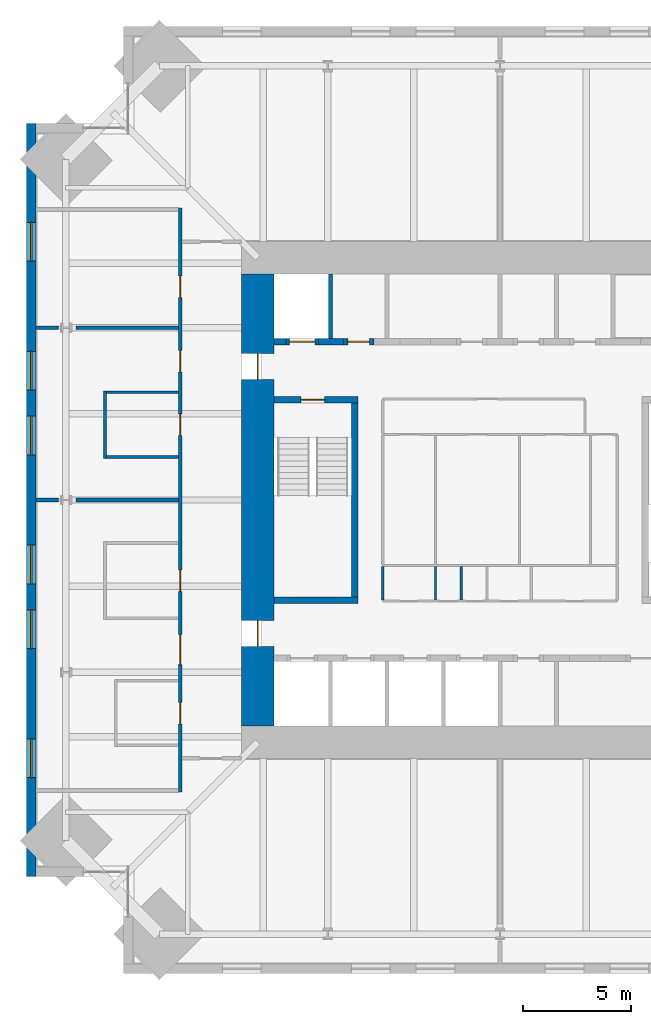
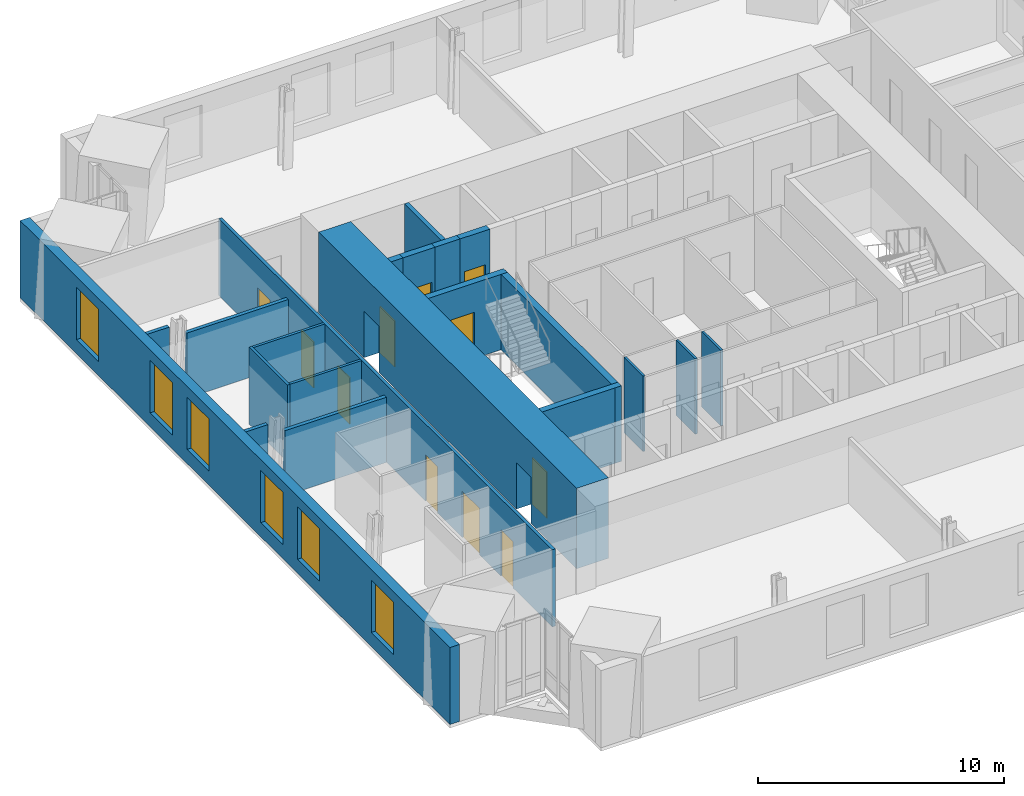
# One storey, part 12 of 16: 21 walls, 11 doors, 6 windows, 17 openings.
"""IFC4 building model written with IfcOpenShell, lengths in metres."""

from ifc_helpers import new_model, si_unit, direction, frame, frame_2d, origin, place, context, subcontext, project, spatial, rectangle, extrude, material, layer, layer_set, type_object, element, fill, save


model = new_model("IFC4")

# Units and contexts
model_context = context("Model", 3, precision=1e-05, world=origin(), true_north=direction((0.0, 1.0)))
body_context = subcontext(model_context, "Body", "Model", "MODEL_VIEW")
ifc_project = project(units=[si_unit("LENGTHUNIT", "METRE"), si_unit("AREAUNIT", "SQUARE_METRE"), si_unit("VOLUMEUNIT", "CUBIC_METRE"), si_unit("PLANEANGLEUNIT", "RADIAN"), si_unit("MASSUNIT", "GRAM", prefix="KILO")], contexts=[model_context])

# Site, building, storey
site_placement = place(None, origin())
site = spatial("IfcSite", under=ifc_project, at=site_placement, CompositionType="ELEMENT")
building_placement = place(site_placement, origin())
building = spatial("IfcBuilding", under=site, at=building_placement, Name="Peilmerk Tower", CompositionType="ELEMENT")
storey_placement = place(building_placement, frame((0.0, 0.0, 265.800048828125)))
storey = spatial("IfcBuildingStorey", under=building, at=storey_placement, Name="L59", CompositionType="ELEMENT", Elevation=265.800048828125)

# Wall, openings, windows
ifc_material_1 = material(Name="Precast concrete C45/55, board-marked finish", Category="concrete")
ifc_layer_1 = layer(ifc_material_1, 0.449951171875)
ifc_layer_set_1 = layer_set([ifc_layer_1], Name="Precast concrete C45/55, board-marked finish")
wall_type_1 = type_object("IfcWallType", Name="EW1 450 precast concrete facade wall, board-marked", PredefinedType="SOLIDWALL", material=ifc_layer_set_1)
wall_1_placement = place(storey_placement, frame((-21.77490234375, 17.5, 0.0), z_axis=(0.0, 0.0, 1.0), x_axis=(0.0, -1.0, 0.0)))
wall_1 = element("IfcWall", 1, at=wall_1_placement, inside=storey, type_object=wall_type_1, Name="Facade wall W L59", PredefinedType="SOLIDWALL", context=body_context, shape_type="SweptSolid", body=[
    extrude(rectangle(XDim=35.0, YDim=0.449951171875, at=frame_2d((17.5, 0.0))), origin(), (0.0, 0.0, 1.0), 3.829833984375),
])
opening_1_placement = place(wall_1_placement, frame((4.60009765625, 0.0, 0.699951171875)))
opening_1 = element("IfcOpeningElement", 2, at=opening_1_placement, cuts=wall_1, Name="Opening W1", PredefinedType="OPENING", context=body_context, shape_type="SweptSolid", body=[
    extrude(rectangle(XDim=1.800048828125, YDim=2.60009765625, at=frame_2d((0.89990234375, 1.300048828125))), frame((0.0, 0.23486328125, 0.0), z_axis=(0.0, -1.0, 0.0), x_axis=(1.0, 0.0, 0.0)), (0.0, 0.0, 1.0), 0.469970703125),
])
opening_2_placement = place(wall_1_placement, frame((10.60009765625, 0.0, 0.699951171875)))
opening_2 = element("IfcOpeningElement", 3, at=opening_2_placement, cuts=wall_1, Name="Opening W1", PredefinedType="OPENING", context=body_context, shape_type="SweptSolid", body=[
    extrude(rectangle(XDim=1.800048828125, YDim=2.60009765625, at=frame_2d((0.89990234375, 1.300048828125))), frame((0.0, 0.23486328125, 0.0), z_axis=(0.0, -1.0, 0.0), x_axis=(1.0, 0.0, 0.0)), (0.0, 0.0, 1.0), 0.469970703125),
])
opening_3_placement = place(wall_1_placement, frame((13.60009765625, 0.0, 0.699951171875)))
opening_3 = element("IfcOpeningElement", 4, at=opening_3_placement, cuts=wall_1, Name="Opening W1", PredefinedType="OPENING", context=body_context, shape_type="SweptSolid", body=[
    extrude(rectangle(XDim=1.800048828125, YDim=2.60009765625, at=frame_2d((0.89990234375, 1.300048828125))), frame((0.0, 0.23486328125, 0.0), z_axis=(0.0, -1.0, 0.0), x_axis=(1.0, 0.0, 0.0)), (0.0, 0.0, 1.0), 0.469970703125),
])
opening_4_placement = place(wall_1_placement, frame((19.60009765625, 0.0, 0.699951171875)))
opening_4 = element("IfcOpeningElement", 5, at=opening_4_placement, cuts=wall_1, Name="Opening W1", PredefinedType="OPENING", context=body_context, shape_type="SweptSolid", body=[
    extrude(rectangle(XDim=1.800048828125, YDim=2.60009765625, at=frame_2d((0.89990234375, 1.300048828125))), frame((0.0, 0.23486328125, 0.0), z_axis=(0.0, -1.0, 0.0), x_axis=(1.0, 0.0, 0.0)), (0.0, 0.0, 1.0), 0.469970703125),
])
opening_5_placement = place(wall_1_placement, frame((22.60009765625, 0.0, 0.699951171875)))
opening_5 = element("IfcOpeningElement", 6, at=opening_5_placement, cuts=wall_1, Name="Opening W1", PredefinedType="OPENING", context=body_context, shape_type="SweptSolid", body=[
    extrude(rectangle(XDim=1.800048828125, YDim=2.60009765625, at=frame_2d((0.89990234375, 1.300048828125))), frame((0.0, 0.23486328125, 0.0), z_axis=(0.0, -1.0, 0.0), x_axis=(1.0, 0.0, 0.0)), (0.0, 0.0, 1.0), 0.469970703125),
])
opening_6_placement = place(wall_1_placement, frame((28.60009765625, 0.0, 0.699951171875)))
opening_6 = element("IfcOpeningElement", 7, at=opening_6_placement, cuts=wall_1, Name="Opening W1", PredefinedType="OPENING", context=body_context, shape_type="SweptSolid", body=[
    extrude(rectangle(XDim=1.800048828125, YDim=2.60009765625, at=frame_2d((0.89990234375, 1.300048828125))), frame((0.0, 0.23486328125, 0.0), z_axis=(0.0, -1.0, 0.0), x_axis=(1.0, 0.0, 0.0)), (0.0, 0.0, 1.0), 0.469970703125),
])
ifc_material_2 = material(Name="Aluminium frame, clear double glazing", Category="aluminium")
window_type = type_object("IfcWindowType", Name="W1 1800x2600 office window", PartitioningType="SINGLE_PANEL", PredefinedType="WINDOW", material=ifc_material_2)
window_1_placement = place(opening_1_placement, origin())
window_1 = element("IfcWindow", 8, at=window_1_placement, inside=storey, type_object=window_type, Name="Window W1 L59", OverallHeight=2.60009765625, OverallWidth=1.800048828125, PartitioningType="SINGLE_PANEL", PredefinedType="WINDOW", context=body_context, shape_type="SweptSolid", body=[
    extrude(rectangle(XDim=1.800048828125, YDim=2.60009765625, at=frame_2d((0.89990234375, 1.300048828125))), frame((0.0, 0.030029296875, 0.0), z_axis=(0.0, -1.0, 0.0), x_axis=(1.0, 0.0, 0.0)), (0.0, 0.0, 1.0), 0.06005859375),
])
fill(opening_1, window_1)
window_2_placement = place(opening_2_placement, origin())
window_2 = element("IfcWindow", 9, at=window_2_placement, inside=storey, type_object=window_type, Name="Window W1 L59", OverallHeight=2.60009765625, OverallWidth=1.800048828125, PartitioningType="SINGLE_PANEL", PredefinedType="WINDOW", context=body_context, shape_type="SweptSolid", body=[
    extrude(rectangle(XDim=1.800048828125, YDim=2.60009765625, at=frame_2d((0.89990234375, 1.300048828125))), frame((0.0, 0.030029296875, 0.0), z_axis=(0.0, -1.0, 0.0), x_axis=(1.0, 0.0, 0.0)), (0.0, 0.0, 1.0), 0.06005859375),
])
fill(opening_2, window_2)
window_3_placement = place(opening_3_placement, origin())
window_3 = element("IfcWindow", 10, at=window_3_placement, inside=storey, type_object=window_type, Name="Window W1 L59", OverallHeight=2.60009765625, OverallWidth=1.800048828125, PartitioningType="SINGLE_PANEL", PredefinedType="WINDOW", context=body_context, shape_type="SweptSolid", body=[
    extrude(rectangle(XDim=1.800048828125, YDim=2.60009765625, at=frame_2d((0.89990234375, 1.300048828125))), frame((0.0, 0.030029296875, 0.0), z_axis=(0.0, -1.0, 0.0), x_axis=(1.0, 0.0, 0.0)), (0.0, 0.0, 1.0), 0.06005859375),
])
fill(opening_3, window_3)
window_4_placement = place(opening_4_placement, origin())
window_4 = element("IfcWindow", 11, at=window_4_placement, inside=storey, type_object=window_type, Name="Window W1 L59", OverallHeight=2.60009765625, OverallWidth=1.800048828125, PartitioningType="SINGLE_PANEL", PredefinedType="WINDOW", context=body_context, shape_type="SweptSolid", body=[
    extrude(rectangle(XDim=1.800048828125, YDim=2.60009765625, at=frame_2d((0.89990234375, 1.300048828125))), frame((0.0, 0.030029296875, 0.0), z_axis=(0.0, -1.0, 0.0), x_axis=(1.0, 0.0, 0.0)), (0.0, 0.0, 1.0), 0.06005859375),
])
fill(opening_4, window_4)
window_5_placement = place(opening_5_placement, origin())
window_5 = element("IfcWindow", 12, at=window_5_placement, inside=storey, type_object=window_type, Name="Window W1 L59", OverallHeight=2.60009765625, OverallWidth=1.800048828125, PartitioningType="SINGLE_PANEL", PredefinedType="WINDOW", context=body_context, shape_type="SweptSolid", body=[
    extrude(rectangle(XDim=1.800048828125, YDim=2.60009765625, at=frame_2d((0.89990234375, 1.300048828125))), frame((0.0, 0.030029296875, 0.0), z_axis=(0.0, -1.0, 0.0), x_axis=(1.0, 0.0, 0.0)), (0.0, 0.0, 1.0), 0.06005859375),
])
fill(opening_5, window_5)
window_6_placement = place(opening_6_placement, origin())
window_6 = element("IfcWindow", 13, at=window_6_placement, inside=storey, type_object=window_type, Name="Window W1 L59", OverallHeight=2.60009765625, OverallWidth=1.800048828125, PartitioningType="SINGLE_PANEL", PredefinedType="WINDOW", context=body_context, shape_type="SweptSolid", body=[
    extrude(rectangle(XDim=1.800048828125, YDim=2.60009765625, at=frame_2d((0.89990234375, 1.300048828125))), frame((0.0, 0.030029296875, 0.0), z_axis=(0.0, -1.0, 0.0), x_axis=(1.0, 0.0, 0.0)), (0.0, 0.0, 1.0), 0.06005859375),
])
fill(opening_6, window_6)

# Wall, openings, doors
ifc_material_3 = material(Name="Calcium silicate block", Category="masonry")
ifc_layer_2 = layer(ifc_material_3, 0.14990234375)
ifc_layer_set_2 = layer_set([ifc_layer_2], Name="Calcium silicate block")
wall_type_2 = type_object("IfcWallType", Name="IW1 150 corridor partition, EI 60", PredefinedType="PARTITIONING", material=ifc_layer_set_2)
wall_2_placement = place(storey_placement, frame((-14.85009765625, 13.574951171875, 0.0), z_axis=(0.0, 0.0, 1.0), x_axis=(0.0, -1.0, 0.0)))
wall_2 = element("IfcWall", 14, at=wall_2_placement, inside=storey, type_object=wall_type_2, Name="Corridor wall W L59", PredefinedType="PARTITIONING", context=body_context, shape_type="SweptSolid", body=[
    extrude(rectangle(XDim=27.14990234375, YDim=0.14990234375, at=frame_2d((13.574951171875, 0.0))), origin(), (0.0, 0.0, 1.0), 3.829833984375),
])
opening_7_placement = place(wall_2_placement, frame((19.824951171875, 0.0, 0.0)))
opening_7 = element("IfcOpeningElement", 15, at=opening_7_placement, cuts=wall_2, Name="Opening D8", PredefinedType="OPENING", context=body_context, shape_type="SweptSolid", body=[
    extrude(rectangle(XDim=1.39990234375, YDim=2.300048828125, at=frame_2d((0.699951171875, 1.14990234375))), frame((0.0, 0.0849609375, 0.0), z_axis=(0.0, -1.0, 0.0), x_axis=(1.0, 0.0, 0.0)), (0.0, 0.0, 1.0), 0.169921875),
])
opening_8_placement = place(wall_2_placement, frame((6.625, 0.0, 0.0)))
opening_8 = element("IfcOpeningElement", 16, at=opening_8_placement, cuts=wall_2, Name="Opening D1", PredefinedType="OPENING", context=body_context, shape_type="SweptSolid", body=[
    extrude(rectangle(XDim=1.0, YDim=2.300048828125, at=frame_2d((0.5, 1.14990234375))), frame((0.0, 0.0849609375, 0.0), z_axis=(0.0, -1.0, 0.0), x_axis=(1.0, 0.0, 0.0)), (0.0, 0.0, 1.0), 0.169921875),
])
opening_9_placement = place(wall_2_placement, frame((3.175048828125, 0.0, 0.0)))
opening_9 = element("IfcOpeningElement", 17, at=opening_9_placement, cuts=wall_2, Name="Opening D1", PredefinedType="OPENING", context=body_context, shape_type="SweptSolid", body=[
    extrude(rectangle(XDim=1.0, YDim=2.300048828125, at=frame_2d((0.5, 1.14990234375))), frame((0.0, 0.0849609375, 0.0), z_axis=(0.0, -1.0, 0.0), x_axis=(1.0, 0.0, 0.0)), (0.0, 0.0, 1.0), 0.169921875),
])
opening_10_placement = place(wall_2_placement, frame((9.574951171875, 0.0, 0.0)))
opening_10 = element("IfcOpeningElement", 18, at=opening_10_placement, cuts=wall_2, Name="Opening D1", PredefinedType="OPENING", context=body_context, shape_type="SweptSolid", body=[
    extrude(rectangle(XDim=1.0, YDim=2.300048828125, at=frame_2d((0.5, 1.14990234375))), frame((0.0, 0.0849609375, 0.0), z_axis=(0.0, -1.0, 0.0), x_axis=(1.0, 0.0, 0.0)), (0.0, 0.0, 1.0), 0.169921875),
])
opening_11_placement = place(wall_2_placement, frame((16.824951171875, 0.0, 0.0)))
opening_11 = element("IfcOpeningElement", 19, at=opening_11_placement, cuts=wall_2, Name="Opening D1", PredefinedType="OPENING", context=body_context, shape_type="SweptSolid", body=[
    extrude(rectangle(XDim=1.0, YDim=2.300048828125, at=frame_2d((0.5, 1.14990234375))), frame((0.0, 0.0849609375, 0.0), z_axis=(0.0, -1.0, 0.0), x_axis=(1.0, 0.0, 0.0)), (0.0, 0.0, 1.0), 0.169921875),
])
opening_12_placement = place(wall_2_placement, frame((22.97509765625, 0.0, 0.0)))
opening_12 = element("IfcOpeningElement", 20, at=opening_12_placement, cuts=wall_2, Name="Opening D1", PredefinedType="OPENING", context=body_context, shape_type="SweptSolid", body=[
    extrude(rectangle(XDim=1.0, YDim=2.300048828125, at=frame_2d((0.5, 1.14990234375))), frame((0.0, 0.0849609375, 0.0), z_axis=(0.0, -1.0, 0.0), x_axis=(1.0, 0.0, 0.0)), (0.0, 0.0, 1.0), 0.169921875),
])
ifc_material_4 = material(Name="Timber door in steel frame", Category="steel")
door_type_1 = type_object("IfcDoorType", Name="D1 1000x2300 room door, EI2 30", OperationType="SINGLE_SWING_LEFT", PredefinedType="DOOR", material=ifc_material_4)
door_1_placement = place(opening_8_placement, frame((1.0, 0.0, 0.0), z_axis=(0.0, 0.0, 1.0), x_axis=(-1.0, 0.0, 0.0)))
door_1 = element("IfcDoor", 21, at=door_1_placement, inside=storey, type_object=door_type_1, Name="Door Office L59", OperationType="SINGLE_SWING_LEFT", OverallHeight=2.300048828125, OverallWidth=1.0, PredefinedType="DOOR", context=body_context, shape_type="SweptSolid", body=[
    extrude(rectangle(XDim=1.0, YDim=2.300048828125, at=frame_2d((0.5, 1.14990234375))), frame((0.0, 0.02490234375, 0.0), z_axis=(0.0, -1.0, 0.0), x_axis=(1.0, 0.0, 0.0)), (0.0, 0.0, 1.0), 0.050048828125),
])
fill(opening_8, door_1)
door_2_placement = place(opening_9_placement, frame((1.0, 0.0, 0.0), z_axis=(0.0, 0.0, 1.0), x_axis=(-1.0, 0.0, 0.0)))
door_2 = element("IfcDoor", 22, at=door_2_placement, inside=storey, type_object=door_type_1, Name="Door Office L59", OperationType="SINGLE_SWING_LEFT", OverallHeight=2.300048828125, OverallWidth=1.0, PredefinedType="DOOR", context=body_context, shape_type="SweptSolid", body=[
    extrude(rectangle(XDim=1.0, YDim=2.300048828125, at=frame_2d((0.5, 1.14990234375))), frame((0.0, 0.02490234375, 0.0), z_axis=(0.0, -1.0, 0.0), x_axis=(1.0, 0.0, 0.0)), (0.0, 0.0, 1.0), 0.050048828125),
])
fill(opening_9, door_2)
door_3_placement = place(opening_10_placement, frame((1.0, 0.0, 0.0), z_axis=(0.0, 0.0, 1.0), x_axis=(-1.0, 0.0, 0.0)))
door_3 = element("IfcDoor", 23, at=door_3_placement, inside=storey, type_object=door_type_1, Name="Door Pantry L59", OperationType="SINGLE_SWING_LEFT", OverallHeight=2.300048828125, OverallWidth=1.0, PredefinedType="DOOR", context=body_context, shape_type="SweptSolid", body=[
    extrude(rectangle(XDim=1.0, YDim=2.300048828125, at=frame_2d((0.5, 1.14990234375))), frame((0.0, 0.02490234375, 0.0), z_axis=(0.0, -1.0, 0.0), x_axis=(1.0, 0.0, 0.0)), (0.0, 0.0, 1.0), 0.050048828125),
])
fill(opening_10, door_3)
door_4_placement = place(opening_11_placement, frame((1.0, 0.0, 0.0), z_axis=(0.0, 0.0, 1.0), x_axis=(-1.0, 0.0, 0.0)))
door_4 = element("IfcDoor", 24, at=door_4_placement, inside=storey, type_object=door_type_1, Name="Door Meeting room L59", OperationType="SINGLE_SWING_LEFT", OverallHeight=2.300048828125, OverallWidth=1.0, PredefinedType="DOOR", context=body_context, shape_type="SweptSolid", body=[
    extrude(rectangle(XDim=1.0, YDim=2.300048828125, at=frame_2d((0.5, 1.14990234375))), frame((0.0, 0.02490234375, 0.0), z_axis=(0.0, -1.0, 0.0), x_axis=(1.0, 0.0, 0.0)), (0.0, 0.0, 1.0), 0.050048828125),
])
fill(opening_11, door_4)
door_5_placement = place(opening_12_placement, frame((1.0, 0.0, 0.0), z_axis=(0.0, 0.0, 1.0), x_axis=(-1.0, 0.0, 0.0)))
door_5 = element("IfcDoor", 25, at=door_5_placement, inside=storey, type_object=door_type_1, Name="Door Quiet room L59", OperationType="SINGLE_SWING_LEFT", OverallHeight=2.300048828125, OverallWidth=1.0, PredefinedType="DOOR", context=body_context, shape_type="SweptSolid", body=[
    extrude(rectangle(XDim=1.0, YDim=2.300048828125, at=frame_2d((0.5, 1.14990234375))), frame((0.0, 0.02490234375, 0.0), z_axis=(0.0, -1.0, 0.0), x_axis=(1.0, 0.0, 0.0)), (0.0, 0.0, 1.0), 0.050048828125),
])
fill(opening_12, door_5)
door_type_2 = type_object("IfcDoorType", Name="D8 1400x2300 leaf-and-a-half door, EI2 30", OperationType="DOUBLE_DOOR_SINGLE_SWING", PredefinedType="DOOR", material=ifc_material_4)
door_6_placement = place(opening_7_placement, frame((1.39990234375, 0.0, 0.0), z_axis=(0.0, 0.0, 1.0), x_axis=(-1.0, 0.0, 0.0)))
door_6 = element("IfcDoor", 26, at=door_6_placement, inside=storey, type_object=door_type_2, Name="Door Library L59", OperationType="DOUBLE_DOOR_SINGLE_SWING", OverallHeight=2.300048828125, OverallWidth=1.39990234375, PredefinedType="DOOR", context=body_context, shape_type="SweptSolid", body=[
    extrude(rectangle(XDim=1.39990234375, YDim=2.300048828125, at=frame_2d((0.699951171875, 1.14990234375))), frame((0.0, 0.02490234375, 0.0), z_axis=(0.0, -1.0, 0.0), x_axis=(1.0, 0.0, 0.0)), (0.0, 0.0, 1.0), 0.050048828125),
])
fill(opening_7, door_6)

# Wall
ifc_material_5 = material(Name="Concrete C35/45", Category="concrete")
ifc_layer_3 = layer(ifc_material_5, 0.300048828125)
ifc_layer_set_3 = layer_set([ifc_layer_3], Name="Concrete C35/45")
wall_type_3 = type_object("IfcWallType", Name="IW3 300 concrete stair enclosure wall, EI 120", PredefinedType="SOLIDWALL", material=ifc_layer_set_3)
wall_3_placement = place(storey_placement, frame((-6.75, -4.800048828125, 0.0), z_axis=(0.0, 0.0, 1.0), x_axis=(0.0, 1.0, 0.0)))
element("IfcWall", 27, at=wall_3_placement, inside=storey, type_object=wall_type_3, Name="Stair 1 enclosure L59", PredefinedType="SOLIDWALL", context=body_context, shape_type="SweptSolid", body=[
    extrude(rectangle(XDim=9.60009765625, YDim=0.300048828125, at=frame_2d((4.800048828125, 0.0))), origin(), (0.0, 0.0, 1.0), 3.75),
])

# Wall, opening, door
wall_4_placement = place(storey_placement, frame((-10.5, 4.64990234375, 0.0), z_axis=(0.0, 0.0, 1.0), x_axis=(1.0, 0.0, 0.0)))
wall_4 = element("IfcWall", 28, at=wall_4_placement, inside=storey, type_object=wall_type_3, Name="Stair 1 enclosure L59", PredefinedType="SOLIDWALL", context=body_context, shape_type="SweptSolid", body=[
    extrude(rectangle(XDim=3.89990234375, YDim=0.300048828125, at=frame_2d((1.949951171875, 0.0))), origin(), (0.0, 0.0, 1.0), 3.75),
])
opening_13_placement = place(wall_4_placement, frame((1.25, 0.0, 0.0)))
opening_13 = element("IfcOpeningElement", 29, at=opening_13_placement, cuts=wall_4, Name="Opening D4", PredefinedType="OPENING", context=body_context, shape_type="SweptSolid", body=[
    extrude(rectangle(XDim=1.10009765625, YDim=2.300048828125, at=frame_2d((0.550048828125, 1.14990234375))), frame((0.0, 0.159912109375, 0.0), z_axis=(0.0, -1.0, 0.0), x_axis=(1.0, 0.0, 0.0)), (0.0, 0.0, 1.0), 0.320068359375),
])
ifc_material_6 = material(Name="Steel door in steel frame", Category="steel")
door_type_3 = type_object("IfcDoorType", Name="D4 1100x2300 stair door, EI2 60", OperationType="SINGLE_SWING_RIGHT", PredefinedType="DOOR", material=ifc_material_6)
door_7_placement = place(opening_13_placement, frame((1.10009765625, 0.0, 0.0), z_axis=(0.0, 0.0, 1.0), x_axis=(-1.0, 0.0, 0.0)))
door_7 = element("IfcDoor", 30, at=door_7_placement, inside=storey, type_object=door_type_3, Name="Stair 1 door L59", OperationType="SINGLE_SWING_RIGHT", OverallHeight=2.300048828125, OverallWidth=1.10009765625, PredefinedType="DOOR", context=body_context, shape_type="SweptSolid", body=[
    extrude(rectangle(XDim=1.10009765625, YDim=2.300048828125, at=frame_2d((0.550048828125, 1.14990234375))), frame((0.0, 0.02490234375, 0.0), z_axis=(0.0, -1.0, 0.0), x_axis=(1.0, 0.0, 0.0)), (0.0, 0.0, 1.0), 0.050048828125),
])
fill(opening_13, door_7)

# Walls
wall_5_placement = place(storey_placement, frame((-6.60009765625, -4.64990234375, 0.0), z_axis=(0.0, 0.0, 1.0), x_axis=(-1.0, 0.0, 0.0)))
element("IfcWall", 31, at=wall_5_placement, inside=storey, type_object=wall_type_3, Name="Stair 1 enclosure L59", PredefinedType="SOLIDWALL", context=body_context, shape_type="SweptSolid", body=[
    extrude(rectangle(XDim=3.89990234375, YDim=0.300048828125, at=frame_2d((1.949951171875, 0.0))), origin(), (0.0, 0.0, 1.0), 3.75),
])
ifc_material_7 = material(Name="Calcium silicate board on steel studs", Category="steel")
ifc_layer_4 = layer(ifc_material_7, 0.10009765625)
ifc_layer_set_4 = layer_set([ifc_layer_4], Name="Calcium silicate board on steel studs")
wall_type_4 = type_object("IfcWallType", Name="IW5 100 riser enclosure wall, EI 60", PredefinedType="PARTITIONING", material=ifc_layer_set_4)
for number, where, z_axis, x_axis, name in (
    (32, (-5.449951171875, -3.10009765625, 0.0), (0.0, 0.0, 1.0), (0.0, -1.0, 0.0), "Riser wall L59"),
    (33, (-3.0, -3.10009765625, 0.0), (0.0, 0.0, 1.0), (0.0, -1.0, 0.0), "Riser wall L59"),
    (34, (-1.800048828125, -3.10009765625, 0.0), (0.0, 0.0, 1.0), (0.0, -1.0, 0.0), "Riser wall L59"),
):
    element("IfcWall", number, at=place(storey_placement, frame(where, z_axis=z_axis, x_axis=x_axis)), inside=storey, type_object=wall_type_4, Name=name, PredefinedType="PARTITIONING", context=body_context, shape_type="SweptSolid", body=[
        extrude(rectangle(XDim=1.5498046875, YDim=0.10009765625, at=frame_2d((0.77490234375, 0.0))), origin(), (0.0, 0.0, 1.0), 3.75),
    ])
ifc_material_8 = material(Name="Plasterboard on steel studs, double boarded with mineral wool", Category="steel")
ifc_layer_5 = layer(ifc_material_8, 0.125)
ifc_layer_set_5 = layer_set([ifc_layer_5], Name="Plasterboard on steel studs, double boarded with mineral wool")
wall_type_5 = type_object("IfcWallType", Name="IW7 125 acoustic partition, EI 30", PredefinedType="PARTITIONING", material=ifc_layer_set_5)
wall_6_placement = place(storey_placement, frame((-18.35009765625, 1.9375, 0.0), z_axis=(0.0, 0.0, 1.0), x_axis=(0.0, 1.0, 0.0)))
element("IfcWall", 35, at=wall_6_placement, inside=storey, type_object=wall_type_5, Name="Acoustic partition Pantry L59", PredefinedType="PARTITIONING", context=body_context, shape_type="SweptSolid", body=[
    extrude(rectangle(XDim=3.125, YDim=0.125, at=frame_2d((1.5625, 0.0))), origin(), (0.0, 0.0, 1.0), 3.829833984375),
])
for number, where, z_axis, x_axis, name in (
    (36, (-14.925048828125, 2.0, 0.0), (0.0, 0.0, 1.0), (-1.0, 0.0, 0.0), "Acoustic partition Pantry L59"),
    (37, (-14.925048828125, 5.0, 0.0), (0.0, 0.0, 1.0), (-1.0, 0.0, 0.0), "Acoustic partition Pantry L59"),
):
    element("IfcWall", number, at=place(storey_placement, frame(where, z_axis=z_axis, x_axis=x_axis)), inside=storey, type_object=wall_type_5, Name=name, PredefinedType="PARTITIONING", context=body_context, shape_type="SweptSolid", body=[
        extrude(rectangle(XDim=3.362548828125, YDim=0.125, at=frame_2d((1.68115234375, 0.0))), origin(), (0.0, 0.0, 1.0), 3.829833984375),
    ])
ifc_layer_6 = layer(ifc_material_3, 0.175048828125)
ifc_layer_set_6 = layer_set([ifc_layer_6], Name="Calcium silicate block")
wall_type_6 = type_object("IfcWallType", Name="IW8 175 tenant separating wall, EI 60", PredefinedType="PARTITIONING", material=ifc_layer_set_6)
wall_7_placement = place(storey_placement, frame((-14.925048828125, 0.0, 0.0), z_axis=(0.0, 0.0, 1.0), x_axis=(-1.0, 0.0, 0.0)))
element("IfcWall", 38, at=wall_7_placement, inside=storey, type_object=wall_type_6, Name="Tenant separating wall W1 L59", PredefinedType="PARTITIONING", context=body_context, shape_type="SweptSolid", body=[
    extrude(rectangle(XDim=4.762939453125, YDim=0.175048828125, at=frame_2d((2.38134765625, 0.0))), origin(), (0.0, 0.0, 1.0), 3.239990234375),
])
wall_8_placement = place(storey_placement, frame((-20.508544921875, 0.0, 0.0), z_axis=(0.0, 0.0, 1.0), x_axis=(-1.0, 0.0, 0.0)))
element("IfcWall", 39, at=wall_8_placement, inside=storey, type_object=wall_type_6, Name="Tenant separating wall W1b L59", PredefinedType="PARTITIONING", context=body_context, shape_type="SweptSolid", body=[
    extrude(rectangle(XDim=1.04150390625, YDim=0.175048828125, at=frame_2d((0.520751953125, 0.0))), origin(), (0.0, 0.0, 1.0), 3.829833984375),
])
wall_9_placement = place(storey_placement, frame((-14.925048828125, 8.0, 0.0), z_axis=(0.0, 0.0, 1.0), x_axis=(-1.0, 0.0, 0.0)))
element("IfcWall", 40, at=wall_9_placement, inside=storey, type_object=wall_type_6, Name="Tenant separating wall W2 L59", PredefinedType="PARTITIONING", context=body_context, shape_type="SweptSolid", body=[
    extrude(rectangle(XDim=4.762939453125, YDim=0.175048828125, at=frame_2d((2.38134765625, 0.0))), origin(), (0.0, 0.0, 1.0), 3.239990234375),
])
wall_10_placement = place(storey_placement, frame((-20.508544921875, 8.0, 0.0), z_axis=(0.0, 0.0, 1.0), x_axis=(-1.0, 0.0, 0.0)))
element("IfcWall", 41, at=wall_10_placement, inside=storey, type_object=wall_type_6, Name="Tenant separating wall W2b L59", PredefinedType="PARTITIONING", context=body_context, shape_type="SweptSolid", body=[
    extrude(rectangle(XDim=1.04150390625, YDim=0.175048828125, at=frame_2d((0.520751953125, 0.0))), origin(), (0.0, 0.0, 1.0), 3.829833984375),
])
ifc_layer_7 = layer(ifc_material_3, 0.199951171875)
ifc_layer_set_7 = layer_set([ifc_layer_7], Name="Calcium silicate block")
wall_type_7 = type_object("IfcWallType", Name="SH1 200 shaft dividing wall, EI 120", PredefinedType="PARTITIONING", material=ifc_layer_set_7)
wall_11_placement = place(storey_placement, frame((-7.875, 7.5, 0.0), z_axis=(0.0, 0.0, 1.0), x_axis=(0.0, 1.0, 0.0)))
element("IfcWall", 42, at=wall_11_placement, inside=storey, type_object=wall_type_7, Name="Shaft wall N FL1 L59", PredefinedType="PARTITIONING", context=body_context, shape_type="SweptSolid", body=[
    extrude(rectangle(XDim=3.0, YDim=0.199951171875, at=frame_2d((1.5, 0.0))), origin(), (0.0, 0.0, 1.0), 4.0),
])

# Wall, opening, door
ifc_layer_8 = layer(ifc_material_3, 0.300048828125)
ifc_layer_set_8 = layer_set([ifc_layer_8], Name="Calcium silicate block")
wall_type_8 = type_object("IfcWallType", Name="SH2 300 lift landing door panel, EI 120", PredefinedType="PARTITIONING", material=ifc_layer_set_8)
wall_12_placement = place(storey_placement, frame((-9.9375, 7.35009765625, 0.0), z_axis=(0.0, 0.0, 1.0), x_axis=(1.0, 0.0, 0.0)))
wall_12 = element("IfcWall", 43, at=wall_12_placement, inside=storey, type_object=wall_type_8, Name="Lift door panel N FL1 L59", PredefinedType="PARTITIONING", context=body_context, shape_type="SweptSolid", body=[
    extrude(rectangle(XDim=1.5, YDim=0.300048828125, at=frame_2d((0.75, 0.0))), origin(), (0.0, 0.0, 1.0), 4.0),
])
opening_14_placement = place(wall_12_placement, frame((0.14990234375, 0.0, 0.0)))
opening_14 = element("IfcOpeningElement", 44, at=opening_14_placement, cuts=wall_12, Name="Opening LD2", PredefinedType="OPENING", context=body_context, shape_type="SweptSolid", body=[
    extrude(rectangle(XDim=1.199951171875, YDim=2.300048828125, at=frame_2d((0.60009765625, 1.14990234375))), frame((0.0, 0.159912109375, 0.0), z_axis=(0.0, -1.0, 0.0), x_axis=(1.0, 0.0, 0.0)), (0.0, 0.0, 1.0), 0.320068359375),
])
ifc_material_9 = material(Name="Stainless steel landing door", Category="steel")
door_type_4 = type_object("IfcDoorType", Name="LD2 1200x2300 lift landing door, sliding, EI2 60", OperationType="SLIDING_TO_LEFT", PredefinedType="DOOR", material=ifc_material_9)
door_8_placement = place(opening_14_placement, frame((1.199951171875, 0.0, 0.0), z_axis=(0.0, 0.0, 1.0), x_axis=(-1.0, 0.0, 0.0)))
door_8 = element("IfcDoor", 45, at=door_8_placement, inside=storey, type_object=door_type_4, Name="Lift landing door FL1 L59", OperationType="SLIDING_TO_LEFT", OverallHeight=2.300048828125, OverallWidth=1.199951171875, PredefinedType="DOOR", context=body_context, shape_type="SweptSolid", body=[
    extrude(rectangle(XDim=1.199951171875, YDim=2.300048828125, at=frame_2d((0.60009765625, 1.14990234375))), frame((0.0, 0.02490234375, 0.0), z_axis=(0.0, -1.0, 0.0), x_axis=(1.0, 0.0, 0.0)), (0.0, 0.0, 1.0), 0.050048828125),
])
fill(opening_14, door_8)

wall_13_placement = place(storey_placement, frame((-7.262451171875, 7.35009765625, 0.0), z_axis=(0.0, 0.0, 1.0), x_axis=(1.0, 0.0, 0.0)))
wall_13 = element("IfcWall", 46, at=wall_13_placement, inside=storey, type_object=wall_type_8, Name="Lift door panel N A1 L59", PredefinedType="PARTITIONING", context=body_context, shape_type="SweptSolid", body=[
    extrude(rectangle(XDim=1.39990234375, YDim=0.300048828125, at=frame_2d((0.699951171875, 0.0))), origin(), (0.0, 0.0, 1.0), 4.0),
])
opening_15_placement = place(wall_13_placement, frame((0.199951171875, 0.0, 0.0)))
opening_15 = element("IfcOpeningElement", 47, at=opening_15_placement, cuts=wall_13, Name="Opening D10", PredefinedType="OPENING", context=body_context, shape_type="SweptSolid", body=[
    extrude(rectangle(XDim=1.0, YDim=2.300048828125, at=frame_2d((0.5, 1.14990234375))), frame((0.0, 0.159912109375, 0.0), z_axis=(0.0, -1.0, 0.0), x_axis=(1.0, 0.0, 0.0)), (0.0, 0.0, 1.0), 0.320068359375),
])
door_type_5 = type_object("IfcDoorType", Name="D10 1000x2300 core room door, EI2 60", OperationType="SINGLE_SWING_RIGHT", PredefinedType="DOOR", material=ifc_material_6)
door_9_placement = place(opening_15_placement, origin())
door_9 = element("IfcDoor", 48, at=door_9_placement, inside=storey, type_object=door_type_5, Name="Door Staff WC L59", OperationType="SINGLE_SWING_RIGHT", OverallHeight=2.300048828125, OverallWidth=1.0, PredefinedType="DOOR", context=body_context, shape_type="SweptSolid", body=[
    extrude(rectangle(XDim=1.0, YDim=2.300048828125, at=frame_2d((0.5, 1.14990234375))), frame((0.0, 0.02490234375, 0.0), z_axis=(0.0, -1.0, 0.0), x_axis=(1.0, 0.0, 0.0)), (0.0, 0.0, 1.0), 0.050048828125),
])
fill(opening_15, door_9)

# Wall, openings, doors
ifc_material_10 = material(Name="Concrete C55/67", Category="concrete")
ifc_layer_9 = layer(ifc_material_10, 1.5)
ifc_layer_set_9 = layer_set([ifc_layer_9], Name="Concrete C55/67")
wall_type_9 = type_object("IfcWallType", Name="SW1 1500 core wall", PredefinedType="SHEAR", material=ifc_layer_set_9)
wall_14_placement = place(storey_placement, frame((-11.25, -10.5, 0.0), z_axis=(0.0, 0.0, 1.0), x_axis=(0.0, 1.0, 0.0)))
wall_14 = element("IfcWall", 49, at=wall_14_placement, inside=storey, type_object=wall_type_9, Name="Core wall W L59", PredefinedType="SHEAR", context=body_context, shape_type="SweptSolid", body=[
    extrude(rectangle(XDim=21.0, YDim=1.5, at=frame_2d((10.5, 0.0))), origin(), (0.0, 0.0, 1.0), 4.0),
])
opening_16_placement = place(wall_14_placement, frame((16.10009765625, 0.0, 0.0)))
opening_16 = element("IfcOpeningElement", 50, at=opening_16_placement, cuts=wall_14, Name="Opening D3", PredefinedType="OPENING", context=body_context, shape_type="SweptSolid", body=[
    extrude(rectangle(XDim=1.199951171875, YDim=2.300048828125, at=frame_2d((0.60009765625, 1.14990234375))), frame((0.0, 0.760009765625, 0.0), z_axis=(0.0, -1.0, 0.0), x_axis=(1.0, 0.0, 0.0)), (0.0, 0.0, 1.0), 1.52001953125),
])
opening_17_placement = place(wall_14_placement, frame((3.699951171875, 0.0, 0.0)))
opening_17 = element("IfcOpeningElement", 51, at=opening_17_placement, cuts=wall_14, Name="Opening D3", PredefinedType="OPENING", context=body_context, shape_type="SweptSolid", body=[
    extrude(rectangle(XDim=1.199951171875, YDim=2.300048828125, at=frame_2d((0.60009765625, 1.14990234375))), frame((0.0, 0.760009765625, 0.0), z_axis=(0.0, -1.0, 0.0), x_axis=(1.0, 0.0, 0.0)), (0.0, 0.0, 1.0), 1.52001953125),
])
door_type_6 = type_object("IfcDoorType", Name="D3 1200x2300 core door, EI2 60", OperationType="SINGLE_SWING_LEFT", PredefinedType="DOOR", material=ifc_material_6)
door_10_placement = place(opening_16_placement, frame((1.199951171875, 0.0, 0.0), z_axis=(0.0, 0.0, 1.0), x_axis=(-1.0, 0.0, 0.0)))
door_10 = element("IfcDoor", 52, at=door_10_placement, inside=storey, type_object=door_type_6, Name="Core door L59", OperationType="SINGLE_SWING_LEFT", OverallHeight=2.300048828125, OverallWidth=1.199951171875, PredefinedType="DOOR", context=body_context, shape_type="SweptSolid", body=[
    extrude(rectangle(XDim=1.199951171875, YDim=2.300048828125, at=frame_2d((0.60009765625, 1.14990234375))), frame((0.0, 0.02490234375, 0.0), z_axis=(0.0, -1.0, 0.0), x_axis=(1.0, 0.0, 0.0)), (0.0, 0.0, 1.0), 0.050048828125),
])
fill(opening_16, door_10)
door_11_placement = place(opening_17_placement, frame((1.199951171875, 0.0, 0.0), z_axis=(0.0, 0.0, 1.0), x_axis=(-1.0, 0.0, 0.0)))
door_11 = element("IfcDoor", 53, at=door_11_placement, inside=storey, type_object=door_type_6, Name="Core door L59", OperationType="SINGLE_SWING_LEFT", OverallHeight=2.300048828125, OverallWidth=1.199951171875, PredefinedType="DOOR", context=body_context, shape_type="SweptSolid", body=[
    extrude(rectangle(XDim=1.199951171875, YDim=2.300048828125, at=frame_2d((0.60009765625, 1.14990234375))), frame((0.0, 0.02490234375, 0.0), z_axis=(0.0, -1.0, 0.0), x_axis=(1.0, 0.0, 0.0)), (0.0, 0.0, 1.0), 0.050048828125),
])
fill(opening_17, door_11)

# Walls
ifc_layer_10 = layer(ifc_material_10, 0.300048828125)
ifc_layer_set_10 = layer_set([ifc_layer_10], Name="Concrete C55/67")
wall_type_10 = type_object("IfcWallType", Name="SW2 300 lift bank pier", PredefinedType="SHEAR", material=ifc_layer_set_10)
wall_15_placement = place(storey_placement, frame((-10.5, 7.35009765625, 0.0), z_axis=(0.0, 0.0, 1.0), x_axis=(1.0, 0.0, 0.0)))
element("IfcWall", 54, at=wall_15_placement, inside=storey, type_object=wall_type_10, Name="Lift bank pier N L59", PredefinedType="SHEAR", context=body_context, shape_type="SweptSolid", body=[
    extrude(rectangle(XDim=0.5625, YDim=0.300048828125, at=frame_2d((0.28125, 0.0))), origin(), (0.0, 0.0, 1.0), 4.0),
])
wall_16_placement = place(storey_placement, frame((-8.4375, 7.35009765625, 0.0), z_axis=(0.0, 0.0, 1.0), x_axis=(1.0, 0.0, 0.0)))
element("IfcWall", 55, at=wall_16_placement, inside=storey, type_object=wall_type_10, Name="Lift bank pier N L59", PredefinedType="SHEAR", context=body_context, shape_type="SweptSolid", body=[
    extrude(rectangle(XDim=1.175048828125, YDim=0.300048828125, at=frame_2d((0.58740234375, 0.0))), origin(), (0.0, 0.0, 1.0), 4.0),
])

save(model, "model.ifc")
